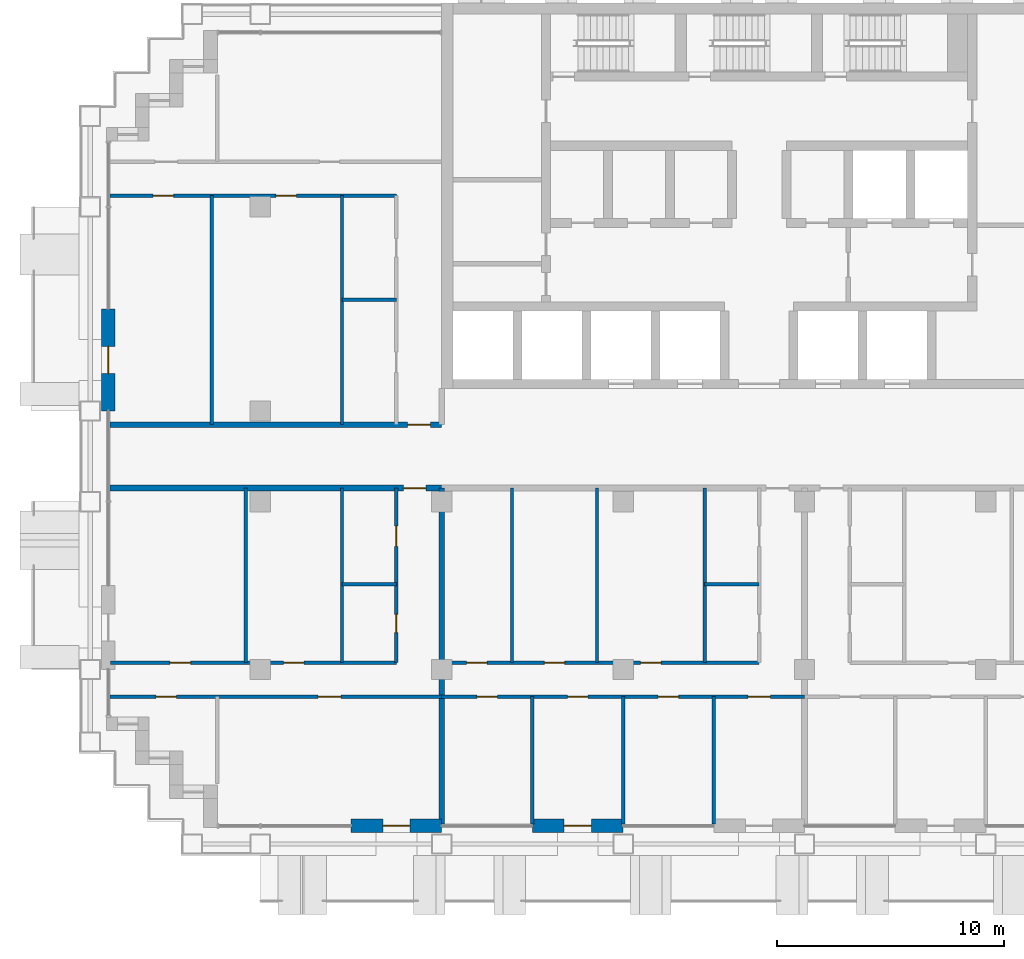
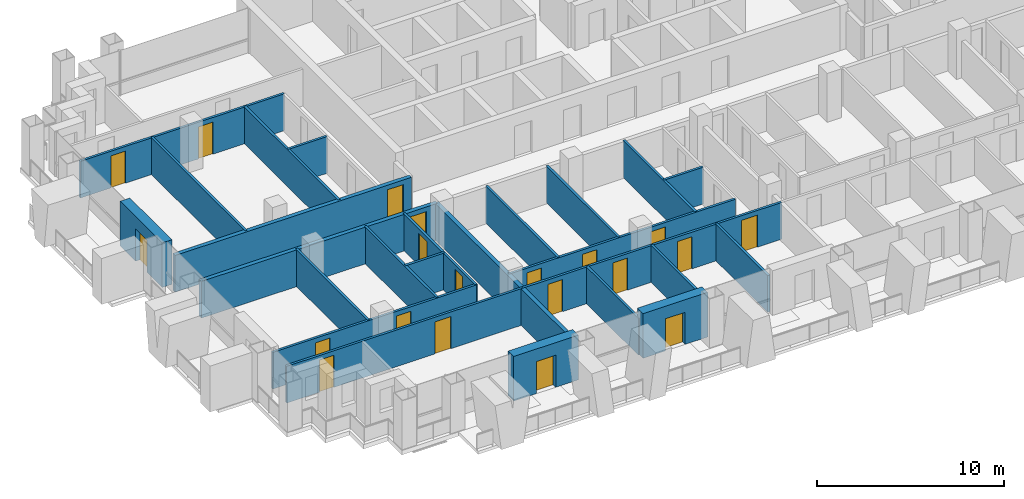
# One storey, part 9 of 18: 25 walls, 20 doors, 20 openings.
"""IFC4 building model written with IfcOpenShell, lengths in metres."""

from ifc_helpers import new_model, si_unit, direction, frame, frame_2d, origin, place, context, subcontext, project, spatial, rectangle, extrude, material, layer, layer_set, type_object, element, fill, save


model = new_model("IFC4")

# Units and contexts
model_context = context("Model", 3, precision=1e-05, world=origin(), true_north=direction((0.0, 1.0)))
body_context = subcontext(model_context, "Body", "Model", "MODEL_VIEW")
ifc_project = project(units=[si_unit("LENGTHUNIT", "METRE"), si_unit("AREAUNIT", "SQUARE_METRE"), si_unit("VOLUMEUNIT", "CUBIC_METRE"), si_unit("PLANEANGLEUNIT", "RADIAN"), si_unit("MASSUNIT", "GRAM", prefix="KILO")], contexts=[model_context])

# Site, building, storey
site_placement = place(None, origin())
site = spatial("IfcSite", under=ifc_project, at=site_placement, CompositionType="ELEMENT")
building_placement = place(site_placement, origin())
building = spatial("IfcBuilding", under=site, at=building_placement, Name="Vidyagriha Tower", CompositionType="ELEMENT")
storey_placement = place(building_placement, frame((0.0, 0.0, 90.300048828125)))
storey = spatial("IfcBuildingStorey", under=building, at=storey_placement, Name="L23", CompositionType="ELEMENT", Elevation=90.300048828125)

# Wall, opening, door
ifc_material_1 = material(Name="Precast concrete C40/50 with brick facing", Category="concrete")
ifc_layer_1 = layer(ifc_material_1, 0.60009765625)
ifc_layer_set_1 = layer_set([ifc_layer_1], Name="Precast concrete C40/50 with brick facing")
wall_type_1 = type_object("IfcWallType", Name="Brick-faced precast wall 600", PredefinedType="STANDARD", material=ifc_layer_set_1)
wall_1_placement = place(storey_placement, frame((-28.699951171875, 6.5, 0.0), z_axis=(0.0, 0.0, 1.0), x_axis=(0.0, -1.0, 0.0)))
wall_1 = element("IfcWall", 1, at=wall_1_placement, inside=storey, type_object=wall_type_1, Name="Brick door bay wall L23 R16.3", PredefinedType="STANDARD", context=body_context, shape_type="SweptSolid", body=[
    extrude(rectangle(XDim=4.5, YDim=0.60009765625, at=frame_2d((2.25, 0.0))), origin(), (0.0, 0.0, 1.0), 2.919921875),
])
opening_1_placement = place(wall_1_placement, frame((1.64990234375, 0.0, 0.0)))
opening_1 = element("IfcOpeningElement", 2, at=opening_1_placement, cuts=wall_1, Name="Opening D23-75", PredefinedType="OPENING", context=body_context, shape_type="SweptSolid", body=[
    extrude(rectangle(XDim=1.199951171875, YDim=2.10009765625, at=frame_2d((0.60009765625, 1.050048828125))), frame((0.0, 0.31005859375, 0.0), z_axis=(0.0, -1.0, 0.0), x_axis=(1.0, 0.0, 0.0)), (0.0, 0.0, 1.0), 0.6201171875),
])
ifc_material_2 = material(Name="Aluminium framed glazed sliding door", Category="aluminium")
door_type_1 = type_object("IfcDoorType", Name="Balcony sliding door 1200x2100", OperationType="NOTDEFINED", PredefinedType="DOOR", material=ifc_material_2)
door_1_placement = place(opening_1_placement, origin())
door_1 = element("IfcDoor", 3, at=door_1_placement, inside=storey, type_object=door_type_1, Name="Door D23-75", OperationType="SLIDING_TO_LEFT", OverallHeight=2.10009765625, OverallWidth=1.199951171875, PredefinedType="DOOR", context=body_context, shape_type="SweptSolid", body=[
    extrude(rectangle(XDim=1.199951171875, YDim=2.10009765625, at=frame_2d((0.60009765625, 1.050048828125))), frame((0.0, 0.02490234375, 0.0), z_axis=(0.0, -1.0, 0.0), x_axis=(1.0, 0.0, 0.0)), (0.0, 0.0, 1.0), 0.050048828125),
])
fill(opening_1, door_1)

wall_2_placement = place(storey_placement, frame((-18.0, -16.300048828125, 0.0)))
wall_2 = element("IfcWall", 4, at=wall_2_placement, inside=storey, type_object=wall_type_1, Name="Brick door bay wall L23 R23.3", PredefinedType="STANDARD", context=body_context, shape_type="SweptSolid", body=[
    extrude(rectangle(XDim=4.0, YDim=0.60009765625, at=frame_2d((2.0, 0.0))), origin(), (0.0, 0.0, 1.0), 2.919921875),
])
opening_2_placement = place(wall_2_placement, frame((1.39990234375, 0.0, 0.0)))
opening_2 = element("IfcOpeningElement", 5, at=opening_2_placement, cuts=wall_2, Name="Opening D23-77", PredefinedType="OPENING", context=body_context, shape_type="SweptSolid", body=[
    extrude(rectangle(XDim=1.199951171875, YDim=2.10009765625, at=frame_2d((0.60009765625, 1.050048828125))), frame((0.0, 0.31005859375, 0.0), z_axis=(0.0, -1.0, 0.0), x_axis=(1.0, 0.0, 0.0)), (0.0, 0.0, 1.0), 0.6201171875),
])
door_2_placement = place(opening_2_placement, origin())
door_2 = element("IfcDoor", 6, at=door_2_placement, inside=storey, type_object=door_type_1, Name="Door D23-77", OperationType="SLIDING_TO_LEFT", OverallHeight=2.10009765625, OverallWidth=1.199951171875, PredefinedType="DOOR", context=body_context, shape_type="SweptSolid", body=[
    extrude(rectangle(XDim=1.199951171875, YDim=2.10009765625, at=frame_2d((0.60009765625, 1.050048828125))), frame((0.0, 0.02490234375, 0.0), z_axis=(0.0, -1.0, 0.0), x_axis=(1.0, 0.0, 0.0)), (0.0, 0.0, 1.0), 0.050048828125),
])
fill(opening_2, door_2)

wall_3_placement = place(storey_placement, frame((-10.0, -16.300048828125, 0.0)))
wall_3 = element("IfcWall", 7, at=wall_3_placement, inside=storey, type_object=wall_type_1, Name="Brick door bay wall L23 R23.5", PredefinedType="STANDARD", context=body_context, shape_type="SweptSolid", body=[
    extrude(rectangle(XDim=4.0, YDim=0.60009765625, at=frame_2d((2.0, 0.0))), origin(), (0.0, 0.0, 1.0), 2.919921875),
])
opening_3_placement = place(wall_3_placement, frame((1.39990234375, 0.0, 0.0)))
opening_3 = element("IfcOpeningElement", 8, at=opening_3_placement, cuts=wall_3, Name="Opening D23-78", PredefinedType="OPENING", context=body_context, shape_type="SweptSolid", body=[
    extrude(rectangle(XDim=1.199951171875, YDim=2.10009765625, at=frame_2d((0.60009765625, 1.050048828125))), frame((0.0, 0.31005859375, 0.0), z_axis=(0.0, -1.0, 0.0), x_axis=(1.0, 0.0, 0.0)), (0.0, 0.0, 1.0), 0.6201171875),
])
door_3_placement = place(opening_3_placement, origin())
door_3 = element("IfcDoor", 9, at=door_3_placement, inside=storey, type_object=door_type_1, Name="Door D23-78", OperationType="SLIDING_TO_LEFT", OverallHeight=2.10009765625, OverallWidth=1.199951171875, PredefinedType="DOOR", context=body_context, shape_type="SweptSolid", body=[
    extrude(rectangle(XDim=1.199951171875, YDim=2.10009765625, at=frame_2d((0.60009765625, 1.050048828125))), frame((0.0, 0.02490234375, 0.0), z_axis=(0.0, -1.0, 0.0), x_axis=(1.0, 0.0, 0.0)), (0.0, 0.0, 1.0), 0.050048828125),
])
fill(opening_3, door_3)

ifc_material_3 = material(Name="Fired clay brick masonry", Category="masonry")
ifc_layer_2 = layer(ifc_material_3, 0.25)
ifc_layer_set_2 = layer_set([ifc_layer_2], Name="Fired clay brick masonry")
wall_type_2 = type_object("IfcWallType", Name="Fired clay brick corridor wall 250", PredefinedType="PARTITIONING", material=ifc_layer_set_2)
wall_4_placement = place(storey_placement, frame((-14.0, -1.39990234375, 0.0), z_axis=(0.0, 0.0, 1.0), x_axis=(-1.0, 0.0, 0.0)))
wall_4 = element("IfcWall", 10, at=wall_4_placement, inside=storey, type_object=wall_type_2, Name="Wall all-L23-w080", PredefinedType="PARTITIONING", context=body_context, shape_type="SweptSolid", body=[
    extrude(rectangle(XDim=14.6201171875, YDim=0.25, at=frame_2d((7.31005859375, 0.0))), origin(), (0.0, 0.0, 1.0), 2.39990234375),
])
opening_4_placement = place(wall_4_placement, frame((0.68896484375, 0.0, 0.0)))
opening_4 = element("IfcOpeningElement", 11, at=opening_4_placement, cuts=wall_4, Name="Opening D23-21", PredefinedType="OPENING", context=body_context, shape_type="SweptSolid", body=[
    extrude(rectangle(XDim=1.0, YDim=2.10009765625, at=frame_2d((0.5, 1.050048828125))), frame((0.0, 0.135009765625, 0.0), z_axis=(0.0, -1.0, 0.0), x_axis=(1.0, 0.0, 0.0)), (0.0, 0.0, 1.0), 0.27001953125),
])
ifc_material_4 = material(Name="Fire-rated timber door leaf EI 60", Category="wood")
door_type_2 = type_object("IfcDoorType", Name="Flat entrance fire door 1000x2100", OperationType="NOTDEFINED", PredefinedType="DOOR", material=ifc_material_4)
door_4_placement = place(opening_4_placement, origin())
door_4 = element("IfcDoor", 12, at=door_4_placement, inside=storey, type_object=door_type_2, Name="Door D23-21", OperationType="SINGLE_SWING_LEFT", OverallHeight=2.10009765625, OverallWidth=1.0, PredefinedType="DOOR", context=body_context, shape_type="SweptSolid", body=[
    extrude(rectangle(XDim=1.0, YDim=2.10009765625, at=frame_2d((0.5, 1.050048828125))), frame((0.0, 0.02490234375, 0.0), z_axis=(0.0, -1.0, 0.0), x_axis=(1.0, 0.0, 0.0)), (0.0, 0.0, 1.0), 0.050048828125),
])
fill(opening_4, door_4)

wall_5_placement = place(storey_placement, frame((-28.6201171875, 1.39990234375, 0.0)))
wall_5 = element("IfcWall", 13, at=wall_5_placement, inside=storey, type_object=wall_type_2, Name="Wall all-L23-w097", PredefinedType="PARTITIONING", context=body_context, shape_type="SweptSolid", body=[
    extrude(rectangle(XDim=14.6201171875, YDim=0.25, at=frame_2d((7.31005859375, 0.0))), origin(), (0.0, 0.0, 1.0), 2.39990234375),
])
opening_5_placement = place(wall_5_placement, frame((13.1201171875, 0.0, 0.0)))
opening_5 = element("IfcOpeningElement", 14, at=opening_5_placement, cuts=wall_5, Name="Opening D23-59", PredefinedType="OPENING", context=body_context, shape_type="SweptSolid", body=[
    extrude(rectangle(XDim=1.0, YDim=2.10009765625, at=frame_2d((0.5, 1.050048828125))), frame((0.0, 0.135009765625, 0.0), z_axis=(0.0, -1.0, 0.0), x_axis=(1.0, 0.0, 0.0)), (0.0, 0.0, 1.0), 0.27001953125),
])
door_5_placement = place(opening_5_placement, origin())
door_5 = element("IfcDoor", 15, at=door_5_placement, inside=storey, type_object=door_type_2, Name="Door D23-59", OperationType="SINGLE_SWING_RIGHT", OverallHeight=2.10009765625, OverallWidth=1.0, PredefinedType="DOOR", context=body_context, shape_type="SweptSolid", body=[
    extrude(rectangle(XDim=1.0, YDim=2.10009765625, at=frame_2d((0.5, 1.050048828125))), frame((0.0, 0.02490234375, 0.0), z_axis=(0.0, -1.0, 0.0), x_axis=(1.0, 0.0, 0.0)), (0.0, 0.0, 1.0), 0.050048828125),
])
fill(opening_5, door_5)

# Walls
ifc_material_5 = material(Name="Fired clay brick masonry", Category="masonry")
ifc_layer_3 = layer(ifc_material_5, 0.25)
ifc_layer_set_3 = layer_set([ifc_layer_3], Name="Fired clay brick masonry")
wall_type_3 = type_object("IfcWallType", Name="Fired clay brick demising wall 250", PredefinedType="PARTITIONING", material=ifc_layer_set_3)
wall_6_placement = place(storey_placement, frame((-14.0, -1.39990234375, 0.0), z_axis=(0.0, 0.0, 1.0), x_axis=(0.0, -1.0, 0.0)))
element("IfcWall", 16, at=wall_6_placement, inside=storey, type_object=wall_type_3, Name="Wall all-L23-w035", PredefinedType="PARTITIONING", context=body_context, shape_type="SweptSolid", body=[
    extrude(rectangle(XDim=14.81005859375, YDim=0.25, at=frame_2d((7.405029296875, 0.0))), origin(), (0.0, 0.0, 1.0), 2.39990234375),
])
ifc_material_6 = material(Name="Gypsum board partition")
ifc_layer_4 = layer(ifc_material_6, 0.14990234375)
ifc_layer_set_4 = layer_set([ifc_layer_4], Name="Gypsum board partition")
wall_type_4 = type_object("IfcWallType", Name="Gypsum board partition 150", PredefinedType="PARTITIONING", material=ifc_layer_set_4)
wall_7_placement = place(storey_placement, frame((-16.0, -5.64990234375, 0.0), z_axis=(0.0, 0.0, 1.0), x_axis=(-1.0, 0.0, 0.0)))
element("IfcWall", 17, at=wall_7_placement, inside=storey, type_object=wall_type_4, Name="Wall all-L23-w004", PredefinedType="PARTITIONING", context=body_context, shape_type="SweptSolid", body=[
    extrude(rectangle(XDim=2.39990234375, YDim=0.14990234375, at=frame_2d((1.199951171875, 0.0))), origin(), (0.0, 0.0, 1.0), 2.39990234375),
])
for number, where, z_axis, x_axis, name in (
    (18, (-18.39990234375, -9.10009765625, 0.0), (0.0, 0.0, 1.0), (0.0, 1.0, 0.0), "Wall all-L23-w005"),
    (19, (-22.64990234375, -9.10009765625, 0.0), (0.0, 0.0, 1.0), (0.0, 1.0, 0.0), "Wall all-L23-w006"),
):
    element("IfcWall", number, at=place(storey_placement, frame(where, z_axis=z_axis, x_axis=x_axis)), inside=storey, type_object=wall_type_4, Name=name, PredefinedType="PARTITIONING", context=body_context, shape_type="SweptSolid", body=[
        extrude(rectangle(XDim=7.7001953125, YDim=0.14990234375, at=frame_2d((3.85009765625, 0.0))), origin(), (0.0, 0.0, 1.0), 2.39990234375),
    ])

# Wall, openings, doors
wall_8_placement = place(storey_placement, frame((-28.610107421875, -9.10009765625, 0.0)))
wall_8 = element("IfcWall", 20, at=wall_8_placement, inside=storey, type_object=wall_type_4, Name="Wall all-L23-w007", PredefinedType="PARTITIONING", context=body_context, shape_type="SweptSolid", body=[
    extrude(rectangle(XDim=12.610107421875, YDim=0.14990234375, at=frame_2d((6.30517578125, 0.0))), origin(), (0.0, 0.0, 1.0), 2.39990234375),
])
opening_6_placement = place(wall_8_placement, frame((7.635009765625, 0.0, 0.0)))
opening_6 = element("IfcOpeningElement", 21, at=opening_6_placement, cuts=wall_8, Name="Opening D23-17", PredefinedType="OPENING", context=body_context, shape_type="SweptSolid", body=[
    extrude(rectangle(XDim=0.89990234375, YDim=2.10009765625, at=frame_2d((0.449951171875, 1.050048828125))), frame((0.0, 0.0849609375, 0.0), z_axis=(0.0, -1.0, 0.0), x_axis=(1.0, 0.0, 0.0)), (0.0, 0.0, 1.0), 0.169921875),
])
opening_7_placement = place(wall_8_placement, frame((2.635009765625, 0.0, 0.0)))
opening_7 = element("IfcOpeningElement", 22, at=opening_7_placement, cuts=wall_8, Name="Opening D23-18", PredefinedType="OPENING", context=body_context, shape_type="SweptSolid", body=[
    extrude(rectangle(XDim=0.89990234375, YDim=2.10009765625, at=frame_2d((0.449951171875, 1.050048828125))), frame((0.0, 0.0849609375, 0.0), z_axis=(0.0, -1.0, 0.0), x_axis=(1.0, 0.0, 0.0)), (0.0, 0.0, 1.0), 0.169921875),
])
ifc_material_7 = material(Name="Timber door leaf", Category="wood")
door_type_3 = type_object("IfcDoorType", Name="Room door 900x2100", OperationType="NOTDEFINED", PredefinedType="DOOR", material=ifc_material_7)
door_6_placement = place(opening_6_placement, origin())
door_6 = element("IfcDoor", 23, at=door_6_placement, inside=storey, type_object=door_type_3, Name="Door D23-17", OperationType="SINGLE_SWING_RIGHT", OverallHeight=2.10009765625, OverallWidth=0.89990234375, PredefinedType="DOOR", context=body_context, shape_type="SweptSolid", body=[
    extrude(rectangle(XDim=0.89990234375, YDim=2.10009765625, at=frame_2d((0.449951171875, 1.050048828125))), frame((0.0, 0.02490234375, 0.0), z_axis=(0.0, -1.0, 0.0), x_axis=(1.0, 0.0, 0.0)), (0.0, 0.0, 1.0), 0.050048828125),
])
fill(opening_6, door_6)
door_7_placement = place(opening_7_placement, origin())
door_7 = element("IfcDoor", 24, at=door_7_placement, inside=storey, type_object=door_type_3, Name="Door D23-18", OperationType="SINGLE_SWING_RIGHT", OverallHeight=2.10009765625, OverallWidth=0.89990234375, PredefinedType="DOOR", context=body_context, shape_type="SweptSolid", body=[
    extrude(rectangle(XDim=0.89990234375, YDim=2.10009765625, at=frame_2d((0.449951171875, 1.050048828125))), frame((0.0, 0.02490234375, 0.0), z_axis=(0.0, -1.0, 0.0), x_axis=(1.0, 0.0, 0.0)), (0.0, 0.0, 1.0), 0.050048828125),
])
fill(opening_7, door_7)

wall_9_placement = place(storey_placement, frame((-14.0, -10.60009765625, 0.0), z_axis=(0.0, 0.0, 1.0), x_axis=(-1.0, 0.0, 0.0)))
wall_9 = element("IfcWall", 25, at=wall_9_placement, inside=storey, type_object=wall_type_4, Name="Wall all-L23-w010", PredefinedType="PARTITIONING", context=body_context, shape_type="SweptSolid", body=[
    extrude(rectangle(XDim=14.6201171875, YDim=0.14990234375, at=frame_2d((7.31005859375, 0.0))), origin(), (0.0, 0.0, 1.0), 2.39990234375),
])
opening_8_placement = place(wall_9_placement, frame((11.699951171875, 0.0, 0.0)))
opening_8 = element("IfcOpeningElement", 26, at=opening_8_placement, cuts=wall_9, Name="Opening D23-19", PredefinedType="OPENING", context=body_context, shape_type="SweptSolid", body=[
    extrude(rectangle(XDim=0.89990234375, YDim=2.10009765625, at=frame_2d((0.449951171875, 1.050048828125))), frame((0.0, 0.0849609375, 0.0), z_axis=(0.0, -1.0, 0.0), x_axis=(1.0, 0.0, 0.0)), (0.0, 0.0, 1.0), 0.169921875),
])
opening_9_placement = place(wall_9_placement, frame((4.449951171875, 0.0, 0.0)))
opening_9 = element("IfcOpeningElement", 27, at=opening_9_placement, cuts=wall_9, Name="Opening D23-20", PredefinedType="OPENING", context=body_context, shape_type="SweptSolid", body=[
    extrude(rectangle(XDim=1.0, YDim=2.10009765625, at=frame_2d((0.5, 1.050048828125))), frame((0.0, 0.0849609375, 0.0), z_axis=(0.0, -1.0, 0.0), x_axis=(1.0, 0.0, 0.0)), (0.0, 0.0, 1.0), 0.169921875),
])
ifc_material_8 = material(Name="Timber door leaf", Category="wood")
door_type_4 = type_object("IfcDoorType", Name="Room door 1000x2100", OperationType="NOTDEFINED", PredefinedType="DOOR", material=ifc_material_8)
door_8_placement = place(opening_9_placement, origin())
door_8 = element("IfcDoor", 28, at=door_8_placement, inside=storey, type_object=door_type_4, Name="Door D23-20", OperationType="SINGLE_SWING_RIGHT", OverallHeight=2.10009765625, OverallWidth=1.0, PredefinedType="DOOR", context=body_context, shape_type="SweptSolid", body=[
    extrude(rectangle(XDim=1.0, YDim=2.10009765625, at=frame_2d((0.5, 1.050048828125))), frame((0.0, 0.02490234375, 0.0), z_axis=(0.0, -1.0, 0.0), x_axis=(1.0, 0.0, 0.0)), (0.0, 0.0, 1.0), 0.050048828125),
])
fill(opening_9, door_8)
door_9_placement = place(opening_8_placement, origin())
door_9 = element("IfcDoor", 29, at=door_9_placement, inside=storey, type_object=door_type_3, Name="Door D23-19", OperationType="SINGLE_SWING_RIGHT", OverallHeight=2.10009765625, OverallWidth=0.89990234375, PredefinedType="DOOR", context=body_context, shape_type="SweptSolid", body=[
    extrude(rectangle(XDim=0.89990234375, YDim=2.10009765625, at=frame_2d((0.449951171875, 1.050048828125))), frame((0.0, 0.02490234375, 0.0), z_axis=(0.0, -1.0, 0.0), x_axis=(1.0, 0.0, 0.0)), (0.0, 0.0, 1.0), 0.050048828125),
])
fill(opening_8, door_9)

# Walls
wall_10_placement = place(storey_placement, frame((0.0, -5.64990234375, 0.0), z_axis=(0.0, 0.0, 1.0), x_axis=(-1.0, 0.0, 0.0)))
element("IfcWall", 30, at=wall_10_placement, inside=storey, type_object=wall_type_4, Name="Wall all-L23-w018", PredefinedType="PARTITIONING", context=body_context, shape_type="SweptSolid", body=[
    extrude(rectangle(XDim=2.39990234375, YDim=0.14990234375, at=frame_2d((1.199951171875, 0.0))), origin(), (0.0, 0.0, 1.0), 2.39990234375),
])
for number, where, z_axis, x_axis, name in (
    (31, (-2.39990234375, -9.10009765625, 0.0), (0.0, 0.0, 1.0), (0.0, 1.0, 0.0), "Wall all-L23-w019"),
    (32, (-7.14990234375, -9.10009765625, 0.0), (0.0, 0.0, 1.0), (0.0, 1.0, 0.0), "Wall all-L23-w020"),
    (33, (-10.89990234375, -9.10009765625, 0.0), (0.0, 0.0, 1.0), (0.0, 1.0, 0.0), "Wall all-L23-w021"),
):
    element("IfcWall", number, at=place(storey_placement, frame(where, z_axis=z_axis, x_axis=x_axis)), inside=storey, type_object=wall_type_4, Name=name, PredefinedType="PARTITIONING", context=body_context, shape_type="SweptSolid", body=[
        extrude(rectangle(XDim=7.7001953125, YDim=0.14990234375, at=frame_2d((3.85009765625, 0.0))), origin(), (0.0, 0.0, 1.0), 2.39990234375),
    ])

# Wall, openings, doors
wall_11_placement = place(storey_placement, frame((-14.0, -9.10009765625, 0.0)))
wall_11 = element("IfcWall", 34, at=wall_11_placement, inside=storey, type_object=wall_type_4, Name="Wall all-L23-w022", PredefinedType="PARTITIONING", context=body_context, shape_type="SweptSolid", body=[
    extrude(rectangle(XDim=14.0, YDim=0.14990234375, at=frame_2d((7.0, 0.0))), origin(), (0.0, 0.0, 1.0), 2.39990234375),
])
opening_10_placement = place(wall_11_placement, frame((8.77490234375, 0.0, 0.0)))
opening_10 = element("IfcOpeningElement", 35, at=opening_10_placement, cuts=wall_11, Name="Opening D23-24", PredefinedType="OPENING", context=body_context, shape_type="SweptSolid", body=[
    extrude(rectangle(XDim=0.89990234375, YDim=2.10009765625, at=frame_2d((0.449951171875, 1.050048828125))), frame((0.0, 0.0849609375, 0.0), z_axis=(0.0, -1.0, 0.0), x_axis=(1.0, 0.0, 0.0)), (0.0, 0.0, 1.0), 0.169921875),
])
opening_11_placement = place(wall_11_placement, frame((4.52490234375, 0.0, 0.0)))
opening_11 = element("IfcOpeningElement", 36, at=opening_11_placement, cuts=wall_11, Name="Opening D23-25", PredefinedType="OPENING", context=body_context, shape_type="SweptSolid", body=[
    extrude(rectangle(XDim=0.89990234375, YDim=2.10009765625, at=frame_2d((0.449951171875, 1.050048828125))), frame((0.0, 0.0849609375, 0.0), z_axis=(0.0, -1.0, 0.0), x_axis=(1.0, 0.0, 0.0)), (0.0, 0.0, 1.0), 0.169921875),
])
opening_12_placement = place(wall_11_placement, frame((1.10009765625, 0.0, 0.0)))
opening_12 = element("IfcOpeningElement", 37, at=opening_12_placement, cuts=wall_11, Name="Opening D23-26", PredefinedType="OPENING", context=body_context, shape_type="SweptSolid", body=[
    extrude(rectangle(XDim=0.89990234375, YDim=2.10009765625, at=frame_2d((0.449951171875, 1.050048828125))), frame((0.0, 0.0849609375, 0.0), z_axis=(0.0, -1.0, 0.0), x_axis=(1.0, 0.0, 0.0)), (0.0, 0.0, 1.0), 0.169921875),
])
door_10_placement = place(opening_10_placement, origin())
door_10 = element("IfcDoor", 38, at=door_10_placement, inside=storey, type_object=door_type_3, Name="Door D23-24", OperationType="SINGLE_SWING_LEFT", OverallHeight=2.10009765625, OverallWidth=0.89990234375, PredefinedType="DOOR", context=body_context, shape_type="SweptSolid", body=[
    extrude(rectangle(XDim=0.89990234375, YDim=2.10009765625, at=frame_2d((0.449951171875, 1.050048828125))), frame((0.0, 0.02490234375, 0.0), z_axis=(0.0, -1.0, 0.0), x_axis=(1.0, 0.0, 0.0)), (0.0, 0.0, 1.0), 0.050048828125),
])
fill(opening_10, door_10)
door_11_placement = place(opening_11_placement, origin())
door_11 = element("IfcDoor", 39, at=door_11_placement, inside=storey, type_object=door_type_3, Name="Door D23-25", OperationType="SINGLE_SWING_RIGHT", OverallHeight=2.10009765625, OverallWidth=0.89990234375, PredefinedType="DOOR", context=body_context, shape_type="SweptSolid", body=[
    extrude(rectangle(XDim=0.89990234375, YDim=2.10009765625, at=frame_2d((0.449951171875, 1.050048828125))), frame((0.0, 0.02490234375, 0.0), z_axis=(0.0, -1.0, 0.0), x_axis=(1.0, 0.0, 0.0)), (0.0, 0.0, 1.0), 0.050048828125),
])
fill(opening_11, door_11)
door_12_placement = place(opening_12_placement, origin())
door_12 = element("IfcDoor", 40, at=door_12_placement, inside=storey, type_object=door_type_3, Name="Door D23-26", OperationType="SINGLE_SWING_RIGHT", OverallHeight=2.10009765625, OverallWidth=0.89990234375, PredefinedType="DOOR", context=body_context, shape_type="SweptSolid", body=[
    extrude(rectangle(XDim=0.89990234375, YDim=2.10009765625, at=frame_2d((0.449951171875, 1.050048828125))), frame((0.0, 0.02490234375, 0.0), z_axis=(0.0, -1.0, 0.0), x_axis=(1.0, 0.0, 0.0)), (0.0, 0.0, 1.0), 0.050048828125),
])
fill(opening_12, door_12)

wall_12_placement = place(storey_placement, frame((2.0, -10.60009765625, 0.0), z_axis=(0.0, 0.0, 1.0), x_axis=(-1.0, 0.0, 0.0)))
wall_12 = element("IfcWall", 41, at=wall_12_placement, inside=storey, type_object=wall_type_4, Name="Wall all-L23-w026", PredefinedType="PARTITIONING", context=body_context, shape_type="SweptSolid", body=[
    extrude(rectangle(XDim=16.0, YDim=0.14990234375, at=frame_2d((8.0, 0.0))), origin(), (0.0, 0.0, 1.0), 2.39990234375),
])
opening_13_placement = place(wall_12_placement, frame((13.550048828125, 0.0, 0.0)))
opening_13 = element("IfcOpeningElement", 42, at=opening_13_placement, cuts=wall_12, Name="Opening D23-27", PredefinedType="OPENING", context=body_context, shape_type="SweptSolid", body=[
    extrude(rectangle(XDim=0.89990234375, YDim=2.10009765625, at=frame_2d((0.449951171875, 1.050048828125))), frame((0.0, 0.0849609375, 0.0), z_axis=(0.0, -1.0, 0.0), x_axis=(1.0, 0.0, 0.0)), (0.0, 0.0, 1.0), 0.169921875),
])
opening_14_placement = place(wall_12_placement, frame((9.550048828125, 0.0, 0.0)))
opening_14 = element("IfcOpeningElement", 43, at=opening_14_placement, cuts=wall_12, Name="Opening D23-28", PredefinedType="OPENING", context=body_context, shape_type="SweptSolid", body=[
    extrude(rectangle(XDim=0.89990234375, YDim=2.10009765625, at=frame_2d((0.449951171875, 1.050048828125))), frame((0.0, 0.0849609375, 0.0), z_axis=(0.0, -1.0, 0.0), x_axis=(1.0, 0.0, 0.0)), (0.0, 0.0, 1.0), 0.169921875),
])
opening_15_placement = place(wall_12_placement, frame((5.550048828125, 0.0, 0.0)))
opening_15 = element("IfcOpeningElement", 44, at=opening_15_placement, cuts=wall_12, Name="Opening D23-29", PredefinedType="OPENING", context=body_context, shape_type="SweptSolid", body=[
    extrude(rectangle(XDim=0.89990234375, YDim=2.10009765625, at=frame_2d((0.449951171875, 1.050048828125))), frame((0.0, 0.0849609375, 0.0), z_axis=(0.0, -1.0, 0.0), x_axis=(1.0, 0.0, 0.0)), (0.0, 0.0, 1.0), 0.169921875),
])
opening_16_placement = place(wall_12_placement, frame((1.5, 0.0, 0.0)))
opening_16 = element("IfcOpeningElement", 45, at=opening_16_placement, cuts=wall_12, Name="Opening D23-30", PredefinedType="OPENING", context=body_context, shape_type="SweptSolid", body=[
    extrude(rectangle(XDim=1.0, YDim=2.10009765625, at=frame_2d((0.5, 1.050048828125))), frame((0.0, 0.0849609375, 0.0), z_axis=(0.0, -1.0, 0.0), x_axis=(1.0, 0.0, 0.0)), (0.0, 0.0, 1.0), 0.169921875),
])
door_13_placement = place(opening_16_placement, origin())
door_13 = element("IfcDoor", 46, at=door_13_placement, inside=storey, type_object=door_type_4, Name="Door D23-30", OperationType="SINGLE_SWING_RIGHT", OverallHeight=2.10009765625, OverallWidth=1.0, PredefinedType="DOOR", context=body_context, shape_type="SweptSolid", body=[
    extrude(rectangle(XDim=1.0, YDim=2.10009765625, at=frame_2d((0.5, 1.050048828125))), frame((0.0, 0.02490234375, 0.0), z_axis=(0.0, -1.0, 0.0), x_axis=(1.0, 0.0, 0.0)), (0.0, 0.0, 1.0), 0.050048828125),
])
fill(opening_16, door_13)
door_14_placement = place(opening_13_placement, origin())
door_14 = element("IfcDoor", 47, at=door_14_placement, inside=storey, type_object=door_type_3, Name="Door D23-27", OperationType="SINGLE_SWING_RIGHT", OverallHeight=2.10009765625, OverallWidth=0.89990234375, PredefinedType="DOOR", context=body_context, shape_type="SweptSolid", body=[
    extrude(rectangle(XDim=0.89990234375, YDim=2.10009765625, at=frame_2d((0.449951171875, 1.050048828125))), frame((0.0, 0.02490234375, 0.0), z_axis=(0.0, -1.0, 0.0), x_axis=(1.0, 0.0, 0.0)), (0.0, 0.0, 1.0), 0.050048828125),
])
fill(opening_13, door_14)
door_15_placement = place(opening_14_placement, origin())
door_15 = element("IfcDoor", 48, at=door_15_placement, inside=storey, type_object=door_type_3, Name="Door D23-28", OperationType="SINGLE_SWING_RIGHT", OverallHeight=2.10009765625, OverallWidth=0.89990234375, PredefinedType="DOOR", context=body_context, shape_type="SweptSolid", body=[
    extrude(rectangle(XDim=0.89990234375, YDim=2.10009765625, at=frame_2d((0.449951171875, 1.050048828125))), frame((0.0, 0.02490234375, 0.0), z_axis=(0.0, -1.0, 0.0), x_axis=(1.0, 0.0, 0.0)), (0.0, 0.0, 1.0), 0.050048828125),
])
fill(opening_14, door_15)
door_16_placement = place(opening_15_placement, origin())
door_16 = element("IfcDoor", 49, at=door_16_placement, inside=storey, type_object=door_type_3, Name="Door D23-29", OperationType="SINGLE_SWING_RIGHT", OverallHeight=2.10009765625, OverallWidth=0.89990234375, PredefinedType="DOOR", context=body_context, shape_type="SweptSolid", body=[
    extrude(rectangle(XDim=0.89990234375, YDim=2.10009765625, at=frame_2d((0.449951171875, 1.050048828125))), frame((0.0, 0.02490234375, 0.0), z_axis=(0.0, -1.0, 0.0), x_axis=(1.0, 0.0, 0.0)), (0.0, 0.0, 1.0), 0.050048828125),
])
fill(opening_15, door_16)

# Walls
wall_13_placement = place(storey_placement, frame((-10.0, -10.60009765625, 0.0), z_axis=(0.0, 0.0, 1.0), x_axis=(0.0, -1.0, 0.0)))
element("IfcWall", 50, at=wall_13_placement, inside=storey, type_object=wall_type_4, Name="Wall all-L23-w031", PredefinedType="PARTITIONING", context=body_context, shape_type="SweptSolid", body=[
    extrude(rectangle(XDim=5.620849609375, YDim=0.14990234375, at=frame_2d((2.810546875, 0.0))), origin(), (0.0, 0.0, 1.0), 2.39990234375),
])
wall_14_placement = place(storey_placement, frame((-6.0, -10.60009765625, 0.0), z_axis=(0.0, 0.0, 1.0), x_axis=(0.0, -1.0, 0.0)))
element("IfcWall", 51, at=wall_14_placement, inside=storey, type_object=wall_type_4, Name="Wall all-L23-w032", PredefinedType="PARTITIONING", context=body_context, shape_type="SweptSolid", body=[
    extrude(rectangle(XDim=5.60986328125, YDim=0.14990234375, at=frame_2d((2.804931640625, 0.0))), origin(), (0.0, 0.0, 1.0), 2.39990234375),
])
wall_15_placement = place(storey_placement, frame((-2.0, -10.60009765625, 0.0), z_axis=(0.0, 0.0, 1.0), x_axis=(0.0, -1.0, 0.0)))
element("IfcWall", 52, at=wall_15_placement, inside=storey, type_object=wall_type_4, Name="Wall all-L23-w033", PredefinedType="PARTITIONING", context=body_context, shape_type="SweptSolid", body=[
    extrude(rectangle(XDim=5.620849609375, YDim=0.14990234375, at=frame_2d((2.810546875, 0.0))), origin(), (0.0, 0.0, 1.0), 2.39990234375),
])
wall_16_placement = place(storey_placement, frame((-18.39990234375, 6.89990234375, 0.0)))
element("IfcWall", 53, at=wall_16_placement, inside=storey, type_object=wall_type_4, Name="Wall all-L23-w086", PredefinedType="PARTITIONING", context=body_context, shape_type="SweptSolid", body=[
    extrude(rectangle(XDim=2.39990234375, YDim=0.14990234375, at=frame_2d((1.199951171875, 0.0))), origin(), (0.0, 0.0, 1.0), 2.39990234375),
])
for number, where, z_axis, x_axis, name in (
    (54, (-18.39990234375, 1.39990234375, 0.0), (0.0, 0.0, 1.0), (0.0, 1.0, 0.0), "Wall all-L23-w087"),
    (55, (-24.14990234375, 1.39990234375, 0.0), (0.0, 0.0, 1.0), (0.0, 1.0, 0.0), "Wall all-L23-w088"),
):
    element("IfcWall", number, at=place(storey_placement, frame(where, z_axis=z_axis, x_axis=x_axis)), inside=storey, type_object=wall_type_4, Name=name, PredefinedType="PARTITIONING", context=body_context, shape_type="SweptSolid", body=[
        extrude(rectangle(XDim=10.10009765625, YDim=0.14990234375, at=frame_2d((5.050048828125, 0.0))), origin(), (0.0, 0.0, 1.0), 2.39990234375),
    ])

# Wall, openings, doors
wall_17_placement = place(storey_placement, frame((-16.0, 11.5, 0.0), z_axis=(0.0, 0.0, 1.0), x_axis=(-1.0, 0.0, 0.0)))
wall_17 = element("IfcWall", 56, at=wall_17_placement, inside=storey, type_object=wall_type_4, Name="Wall all-L23-w089", PredefinedType="PARTITIONING", context=body_context, shape_type="SweptSolid", body=[
    extrude(rectangle(XDim=12.6201171875, YDim=0.14990234375, at=frame_2d((6.31005859375, 0.0))), origin(), (0.0, 0.0, 1.0), 2.39990234375),
])
opening_17_placement = place(wall_17_placement, frame((4.410888671875, 0.0, 0.0)))
opening_17 = element("IfcOpeningElement", 57, at=opening_17_placement, cuts=wall_17, Name="Opening D23-55", PredefinedType="OPENING", context=body_context, shape_type="SweptSolid", body=[
    extrude(rectangle(XDim=0.89990234375, YDim=2.10009765625, at=frame_2d((0.449951171875, 1.050048828125))), frame((0.0, 0.0849609375, 0.0), z_axis=(0.0, -1.0, 0.0), x_axis=(1.0, 0.0, 0.0)), (0.0, 0.0, 1.0), 0.169921875),
])
opening_18_placement = place(wall_17_placement, frame((9.824951171875, 0.0, 0.0)))
opening_18 = element("IfcOpeningElement", 58, at=opening_18_placement, cuts=wall_17, Name="Opening D23-56", PredefinedType="OPENING", context=body_context, shape_type="SweptSolid", body=[
    extrude(rectangle(XDim=0.89990234375, YDim=2.10009765625, at=frame_2d((0.449951171875, 1.050048828125))), frame((0.0, 0.0849609375, 0.0), z_axis=(0.0, -1.0, 0.0), x_axis=(1.0, 0.0, 0.0)), (0.0, 0.0, 1.0), 0.169921875),
])
door_17_placement = place(opening_17_placement, origin())
door_17 = element("IfcDoor", 59, at=door_17_placement, inside=storey, type_object=door_type_3, Name="Door D23-55", OperationType="SINGLE_SWING_LEFT", OverallHeight=2.10009765625, OverallWidth=0.89990234375, PredefinedType="DOOR", context=body_context, shape_type="SweptSolid", body=[
    extrude(rectangle(XDim=0.89990234375, YDim=2.10009765625, at=frame_2d((0.449951171875, 1.050048828125))), frame((0.0, 0.02490234375, 0.0), z_axis=(0.0, -1.0, 0.0), x_axis=(1.0, 0.0, 0.0)), (0.0, 0.0, 1.0), 0.050048828125),
])
fill(opening_17, door_17)
door_18_placement = place(opening_18_placement, origin())
door_18 = element("IfcDoor", 60, at=door_18_placement, inside=storey, type_object=door_type_3, Name="Door D23-56", OperationType="SINGLE_SWING_RIGHT", OverallHeight=2.10009765625, OverallWidth=0.89990234375, PredefinedType="DOOR", context=body_context, shape_type="SweptSolid", body=[
    extrude(rectangle(XDim=0.89990234375, YDim=2.10009765625, at=frame_2d((0.449951171875, 1.050048828125))), frame((0.0, 0.02490234375, 0.0), z_axis=(0.0, -1.0, 0.0), x_axis=(1.0, 0.0, 0.0)), (0.0, 0.0, 1.0), 0.050048828125),
])
fill(opening_18, door_18)

ifc_material_9 = material(Name="Moisture resistant gypsum board partition")
ifc_layer_5 = layer(ifc_material_9, 0.14990234375)
ifc_layer_set_5 = layer_set([ifc_layer_5], Name="Moisture resistant gypsum board partition")
wall_type_5 = type_object("IfcWallType", Name="Gypsum board wet-area partition 150", PredefinedType="PARTITIONING", material=ifc_layer_set_5)
wall_18_placement = place(storey_placement, frame((-16.0, -9.10009765625, 0.0), z_axis=(0.0, 0.0, 1.0), x_axis=(0.0, 1.0, 0.0)))
wall_18 = element("IfcWall", 61, at=wall_18_placement, inside=storey, type_object=wall_type_5, Name="Wall all-L23-w001", PredefinedType="PARTITIONING", context=body_context, shape_type="SweptSolid", body=[
    extrude(rectangle(XDim=7.7001953125, YDim=0.14990234375, at=frame_2d((3.85009765625, 0.0))), origin(), (0.0, 0.0, 1.0), 2.39990234375),
])
opening_19_placement = place(wall_18_placement, frame((5.125, 0.0, 0.0)))
opening_19 = element("IfcOpeningElement", 62, at=opening_19_placement, cuts=wall_18, Name="Opening D23-15", PredefinedType="OPENING", context=body_context, shape_type="SweptSolid", body=[
    extrude(rectangle(XDim=0.89990234375, YDim=2.10009765625, at=frame_2d((0.449951171875, 1.050048828125))), frame((0.0, 0.0849609375, 0.0), z_axis=(0.0, -1.0, 0.0), x_axis=(1.0, 0.0, 0.0)), (0.0, 0.0, 1.0), 0.169921875),
])
opening_20_placement = place(wall_18_placement, frame((1.324951171875, 0.0, 0.0)))
opening_20 = element("IfcOpeningElement", 63, at=opening_20_placement, cuts=wall_18, Name="Opening D23-16", PredefinedType="OPENING", context=body_context, shape_type="SweptSolid", body=[
    extrude(rectangle(XDim=0.800048828125, YDim=2.10009765625, at=frame_2d((0.39990234375, 1.050048828125))), frame((0.0, 0.0849609375, 0.0), z_axis=(0.0, -1.0, 0.0), x_axis=(1.0, 0.0, 0.0)), (0.0, 0.0, 1.0), 0.169921875),
])
ifc_material_10 = material(Name="Timber door leaf", Category="wood")
door_type_5 = type_object("IfcDoorType", Name="Bathroom door 800x2100", OperationType="NOTDEFINED", PredefinedType="DOOR", material=ifc_material_10)
door_19_placement = place(opening_20_placement, origin())
door_19 = element("IfcDoor", 64, at=door_19_placement, inside=storey, type_object=door_type_5, Name="Door D23-16", OperationType="SINGLE_SWING_RIGHT", OverallHeight=2.10009765625, OverallWidth=0.800048828125, PredefinedType="DOOR", context=body_context, shape_type="SweptSolid", body=[
    extrude(rectangle(XDim=0.800048828125, YDim=2.10009765625, at=frame_2d((0.39990234375, 1.050048828125))), frame((0.0, 0.02490234375, 0.0), z_axis=(0.0, -1.0, 0.0), x_axis=(1.0, 0.0, 0.0)), (0.0, 0.0, 1.0), 0.050048828125),
])
fill(opening_20, door_19)
ifc_material_11 = material(Name="Timber door leaf", Category="wood")
door_type_6 = type_object("IfcDoorType", Name="Kitchen door 900x2100", OperationType="NOTDEFINED", PredefinedType="DOOR", material=ifc_material_11)
door_20_placement = place(opening_19_placement, origin())
door_20 = element("IfcDoor", 65, at=door_20_placement, inside=storey, type_object=door_type_6, Name="Door D23-15", OperationType="SINGLE_SWING_LEFT", OverallHeight=2.10009765625, OverallWidth=0.89990234375, PredefinedType="DOOR", context=body_context, shape_type="SweptSolid", body=[
    extrude(rectangle(XDim=0.89990234375, YDim=2.10009765625, at=frame_2d((0.449951171875, 1.050048828125))), frame((0.0, 0.02490234375, 0.0), z_axis=(0.0, -1.0, 0.0), x_axis=(1.0, 0.0, 0.0)), (0.0, 0.0, 1.0), 0.050048828125),
])
fill(opening_19, door_20)

save(model, "model.ifc")
